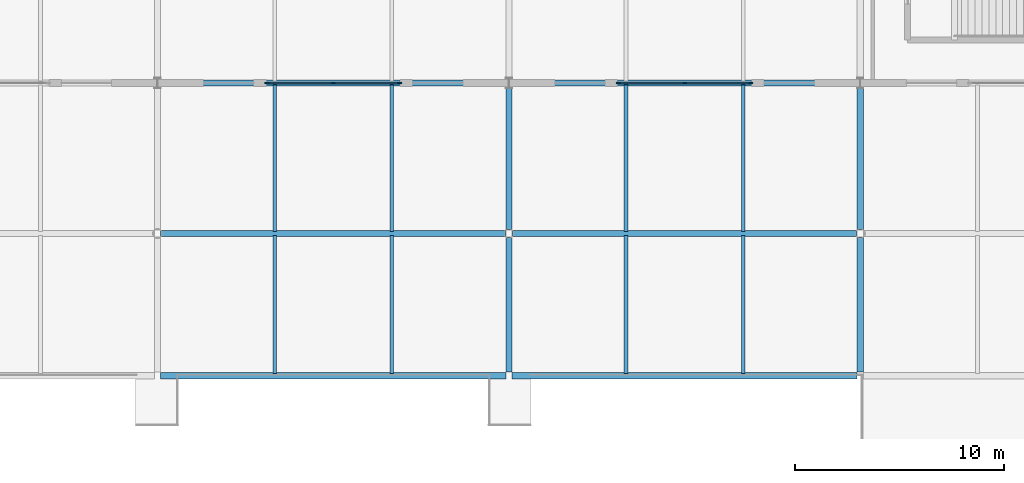
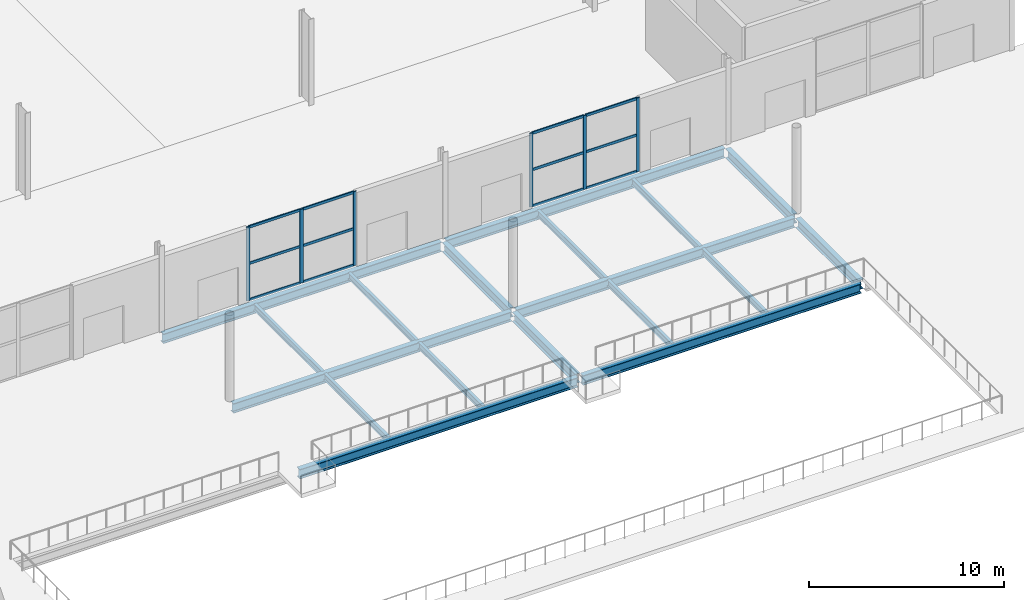
# One storey, part 26 of 87: 18 beams, 18 members, 2 elements without a shape of their own.
"""IFC4 building model written with IfcOpenShell, lengths in metres."""

from ifc_helpers import new_model, si_unit, direction, frame, origin, origin_2d, place, context, subcontext, project, spatial, rectangle, i_section, extrude, material, material_profile, profile_set, type_object, element, aggregate, save


model = new_model("IFC4")

# Units and contexts
model_context = context("Model", 3, precision=1e-05, world=origin(), true_north=direction((0.0, 1.0)))
body_context = subcontext(model_context, "Body", "Model", "MODEL_VIEW")
ifc_project = project(units=[si_unit("LENGTHUNIT", "METRE"), si_unit("AREAUNIT", "SQUARE_METRE"), si_unit("VOLUMEUNIT", "CUBIC_METRE"), si_unit("PLANEANGLEUNIT", "RADIAN"), si_unit("MASSUNIT", "GRAM", prefix="KILO")], contexts=[model_context])

# Site, building, storey
site_placement = place(None, origin())
site = spatial("IfcSite", under=ifc_project, at=site_placement, CompositionType="ELEMENT")
building_placement = place(site_placement, origin())
building = spatial("IfcBuilding", under=site, at=building_placement, Name="Kimbaza Rail Terminus", CompositionType="ELEMENT")
storey_placement = place(building_placement, origin())
storey = spatial("IfcBuildingStorey", under=building, at=storey_placement, Name="L00", CompositionType="ELEMENT", Elevation=0.0)

# Curtain wall, members
ifc_material_1 = material(Name="Anodised aluminium framing and solar low-E glazing", Category="aluminium")
curtain_wall_type = type_object("IfcCurtainWallType", Name="ARC-CW-CN1", PredefinedType="USERDEFINED", material=ifc_material_1)
curtain_wall_1_placement = place(storey_placement, origin())
curtain_wall_1 = element("IfcCurtainWall", 1, at=curtain_wall_1_placement, inside=storey, type_object=curtain_wall_type, Name="South Concourse Glazing L00 Bay 4", ObjectType="UNITISED CURTAIN WALL", PredefinedType="USERDEFINED")
ifc_material_2 = material(Name="Anodised architectural aluminium", Category="aluminium")
ifc_material_profile_1 = material_profile(ifc_material_2, rectangle(XDim=0.070068359375, YDim=0.199951171875, at=origin_2d()), Name="MULLION 70x200")
ifc_profile_set_1 = profile_set([ifc_material_profile_1], Name="Anodised architectural aluminium")
member_type_1 = type_object("IfcMemberType", Name="ARC-CWM-02", PredefinedType="MULLION", material=ifc_profile_set_1)
member_1_placement = place(storey_placement, frame((110.8349609375, 41.0, 0.0), z_axis=(0.0, 0.0, 1.0), x_axis=(0.0, 1.0, 0.0)))
member_1 = element("IfcMember", 2, at=member_1_placement, type_object=member_type_1, Name="CW-02 mullion 1", PredefinedType="MULLION", context=body_context, shape_type="SweptSolid", body=[
    extrude(rectangle(XDim=0.070068359375, YDim=0.199951171875, at=origin_2d()), origin(), (0.0, 0.0, 1.0), 4.625),
])
member_2_placement = place(storey_placement, frame((114.0, 41.0, 0.0), z_axis=(0.0, 0.0, 1.0), x_axis=(0.0, 1.0, 0.0)))
member_2 = element("IfcMember", 3, at=member_2_placement, type_object=member_type_1, Name="CW-02 mullion 2", PredefinedType="MULLION", context=body_context, shape_type="SweptSolid", body=[
    extrude(rectangle(XDim=0.070068359375, YDim=0.199951171875, at=origin_2d()), origin(), (0.0, 0.0, 1.0), 4.625),
])
member_3_placement = place(storey_placement, frame((117.1650390625, 41.0, 0.0), z_axis=(0.0, 0.0, 1.0), x_axis=(0.0, 1.0, 0.0)))
member_3 = element("IfcMember", 4, at=member_3_placement, type_object=member_type_1, Name="CW-02 mullion 3", PredefinedType="MULLION", context=body_context, shape_type="SweptSolid", body=[
    extrude(rectangle(XDim=0.070068359375, YDim=0.199951171875, at=origin_2d()), origin(), (0.0, 0.0, 1.0), 4.625),
])

curtain_wall_2_placement = place(storey_placement, origin())
curtain_wall_2 = element("IfcCurtainWall", 5, at=curtain_wall_2_placement, inside=storey, type_object=curtain_wall_type, Name="South Concourse Glazing L00 Bay 5", ObjectType="UNITISED CURTAIN WALL", PredefinedType="USERDEFINED")
member_4_placement = place(storey_placement, frame((127.635009765625, 41.0, 0.0), z_axis=(0.0, 0.0, 1.0), x_axis=(0.0, 1.0, 0.0)))
member_4 = element("IfcMember", 6, at=member_4_placement, type_object=member_type_1, Name="CW-02 mullion 1", PredefinedType="MULLION", context=body_context, shape_type="SweptSolid", body=[
    extrude(rectangle(XDim=0.070068359375, YDim=0.199951171875, at=origin_2d()), origin(), (0.0, 0.0, 1.0), 4.625),
])
member_5_placement = place(storey_placement, frame((130.800048828125, 41.0, 0.0), z_axis=(0.0, 0.0, 1.0), x_axis=(0.0, 1.0, 0.0)))
member_5 = element("IfcMember", 7, at=member_5_placement, type_object=member_type_1, Name="CW-02 mullion 2", PredefinedType="MULLION", context=body_context, shape_type="SweptSolid", body=[
    extrude(rectangle(XDim=0.070068359375, YDim=0.199951171875, at=origin_2d()), origin(), (0.0, 0.0, 1.0), 4.625),
])
member_6_placement = place(storey_placement, frame((133.965087890625, 41.0, 0.0), z_axis=(0.0, 0.0, 1.0), x_axis=(0.0, 1.0, 0.0)))
member_6 = element("IfcMember", 8, at=member_6_placement, type_object=member_type_1, Name="CW-02 mullion 3", PredefinedType="MULLION", context=body_context, shape_type="SweptSolid", body=[
    extrude(rectangle(XDim=0.070068359375, YDim=0.199951171875, at=origin_2d()), origin(), (0.0, 0.0, 1.0), 4.625),
])

# Member
ifc_material_3 = material(Name="Anodised architectural aluminium", Category="aluminium")
ifc_material_profile_2 = material_profile(ifc_material_3, rectangle(XDim=0.070068359375, YDim=0.159912109375, at=origin_2d()), Name="TRANSOM 70x160")
ifc_profile_set_2 = profile_set([ifc_material_profile_2], Name="Anodised architectural aluminium")
member_type_2 = type_object("IfcMemberType", Name="ARC-CWT-02", PredefinedType="USERDEFINED", material=ifc_profile_set_2)
member_7_placement = place(storey_placement, frame((110.8701171875, 41.0, 0.034912109375), z_axis=(1.0, 0.0, 0.0), x_axis=(0.0, 1.0, 0.0)))
member_7 = element("IfcMember", 9, at=member_7_placement, type_object=member_type_2, Name="CW-02 transom 1.1", ObjectType="TRANSOM", PredefinedType="USERDEFINED", context=body_context, shape_type="SweptSolid", body=[
    extrude(rectangle(XDim=0.070068359375, YDim=0.159912109375, at=origin_2d()), origin(), (0.0, 0.0, 1.0), 3.094970703125),
])

member_8_placement = place(storey_placement, frame((110.8701171875, 41.0, 2.3125), z_axis=(1.0, 0.0, 0.0), x_axis=(0.0, 1.0, 0.0)))
member_8 = element("IfcMember", 10, at=member_8_placement, type_object=member_type_2, Name="CW-02 transom 1.2", ObjectType="TRANSOM", PredefinedType="USERDEFINED", context=body_context, shape_type="SweptSolid", body=[
    extrude(rectangle(XDim=0.070068359375, YDim=0.159912109375, at=origin_2d()), origin(), (0.0, 0.0, 1.0), 3.094970703125),
])

member_9_placement = place(storey_placement, frame((110.8701171875, 41.0, 4.590087890625), z_axis=(1.0, 0.0, 0.0), x_axis=(0.0, 1.0, 0.0)))
member_9 = element("IfcMember", 11, at=member_9_placement, type_object=member_type_2, Name="CW-02 transom 1.3", ObjectType="TRANSOM", PredefinedType="USERDEFINED", context=body_context, shape_type="SweptSolid", body=[
    extrude(rectangle(XDim=0.070068359375, YDim=0.159912109375, at=origin_2d()), origin(), (0.0, 0.0, 1.0), 3.094970703125),
])

member_10_placement = place(storey_placement, frame((114.034912109375, 41.0, 0.034912109375), z_axis=(1.0, 0.0, 0.0), x_axis=(0.0, 1.0, 0.0)))
member_10 = element("IfcMember", 12, at=member_10_placement, type_object=member_type_2, Name="CW-02 transom 2.1", ObjectType="TRANSOM", PredefinedType="USERDEFINED", context=body_context, shape_type="SweptSolid", body=[
    extrude(rectangle(XDim=0.070068359375, YDim=0.159912109375, at=origin_2d()), origin(), (0.0, 0.0, 1.0), 3.094970703125),
])

member_11_placement = place(storey_placement, frame((114.034912109375, 41.0, 2.3125), z_axis=(1.0, 0.0, 0.0), x_axis=(0.0, 1.0, 0.0)))
member_11 = element("IfcMember", 13, at=member_11_placement, type_object=member_type_2, Name="CW-02 transom 2.2", ObjectType="TRANSOM", PredefinedType="USERDEFINED", context=body_context, shape_type="SweptSolid", body=[
    extrude(rectangle(XDim=0.070068359375, YDim=0.159912109375, at=origin_2d()), origin(), (0.0, 0.0, 1.0), 3.094970703125),
])

member_12_placement = place(storey_placement, frame((114.034912109375, 41.0, 4.590087890625), z_axis=(1.0, 0.0, 0.0), x_axis=(0.0, 1.0, 0.0)))
member_12 = element("IfcMember", 14, at=member_12_placement, type_object=member_type_2, Name="CW-02 transom 2.3", ObjectType="TRANSOM", PredefinedType="USERDEFINED", context=body_context, shape_type="SweptSolid", body=[
    extrude(rectangle(XDim=0.070068359375, YDim=0.159912109375, at=origin_2d()), origin(), (0.0, 0.0, 1.0), 3.094970703125),
])

aggregate(curtain_wall_1, [member_1, member_2, member_3, member_7, member_8, member_9, member_10, member_11, member_12])

member_13_placement = place(storey_placement, frame((127.669921875, 41.0, 0.034912109375), z_axis=(1.0, 0.0, 0.0), x_axis=(0.0, 1.0, 0.0)))
member_13 = element("IfcMember", 15, at=member_13_placement, type_object=member_type_2, Name="CW-02 transom 1.1", ObjectType="TRANSOM", PredefinedType="USERDEFINED", context=body_context, shape_type="SweptSolid", body=[
    extrude(rectangle(XDim=0.070068359375, YDim=0.159912109375, at=origin_2d()), origin(), (0.0, 0.0, 1.0), 3.094970703125),
])

member_14_placement = place(storey_placement, frame((127.669921875, 41.0, 2.3125), z_axis=(1.0, 0.0, 0.0), x_axis=(0.0, 1.0, 0.0)))
member_14 = element("IfcMember", 16, at=member_14_placement, type_object=member_type_2, Name="CW-02 transom 1.2", ObjectType="TRANSOM", PredefinedType="USERDEFINED", context=body_context, shape_type="SweptSolid", body=[
    extrude(rectangle(XDim=0.070068359375, YDim=0.159912109375, at=origin_2d()), origin(), (0.0, 0.0, 1.0), 3.094970703125),
])

member_15_placement = place(storey_placement, frame((127.669921875, 41.0, 4.590087890625), z_axis=(1.0, 0.0, 0.0), x_axis=(0.0, 1.0, 0.0)))
member_15 = element("IfcMember", 17, at=member_15_placement, type_object=member_type_2, Name="CW-02 transom 1.3", ObjectType="TRANSOM", PredefinedType="USERDEFINED", context=body_context, shape_type="SweptSolid", body=[
    extrude(rectangle(XDim=0.070068359375, YDim=0.159912109375, at=origin_2d()), origin(), (0.0, 0.0, 1.0), 3.094970703125),
])

member_16_placement = place(storey_placement, frame((130.8349609375, 41.0, 0.034912109375), z_axis=(1.0, 0.0, 0.0), x_axis=(0.0, 1.0, 0.0)))
member_16 = element("IfcMember", 18, at=member_16_placement, type_object=member_type_2, Name="CW-02 transom 2.1", ObjectType="TRANSOM", PredefinedType="USERDEFINED", context=body_context, shape_type="SweptSolid", body=[
    extrude(rectangle(XDim=0.070068359375, YDim=0.159912109375, at=origin_2d()), origin(), (0.0, 0.0, 1.0), 3.094970703125),
])

member_17_placement = place(storey_placement, frame((130.8349609375, 41.0, 2.3125), z_axis=(1.0, 0.0, 0.0), x_axis=(0.0, 1.0, 0.0)))
member_17 = element("IfcMember", 19, at=member_17_placement, type_object=member_type_2, Name="CW-02 transom 2.2", ObjectType="TRANSOM", PredefinedType="USERDEFINED", context=body_context, shape_type="SweptSolid", body=[
    extrude(rectangle(XDim=0.070068359375, YDim=0.159912109375, at=origin_2d()), origin(), (0.0, 0.0, 1.0), 3.094970703125),
])

member_18_placement = place(storey_placement, frame((130.8349609375, 41.0, 4.590087890625), z_axis=(1.0, 0.0, 0.0), x_axis=(0.0, 1.0, 0.0)))
member_18 = element("IfcMember", 20, at=member_18_placement, type_object=member_type_2, Name="CW-02 transom 2.3", ObjectType="TRANSOM", PredefinedType="USERDEFINED", context=body_context, shape_type="SweptSolid", body=[
    extrude(rectangle(XDim=0.070068359375, YDim=0.159912109375, at=origin_2d()), origin(), (0.0, 0.0, 1.0), 3.094970703125),
])

aggregate(curtain_wall_2, [member_4, member_5, member_6, member_13, member_14, member_15, member_16, member_17, member_18])

# Beams
ifc_material_4 = material(Name="Steel S355", Category="steel")
ifc_material_profile_3 = material_profile(ifc_material_4, i_section(OverallWidth=0.300048828125, OverallDepth=0.60009765625, WebThickness=0.015380859375, FlangeThickness=0.030029296875, FilletRadius=0.027099609375, at=origin_2d()), Name="HEB 600")
ifc_profile_set_3 = profile_set([ifc_material_profile_3], Name="Steel S355")
beam_type_1 = type_object("IfcBeamType", Name="STR-BM-HEB600", PredefinedType="BEAM", material=ifc_profile_set_3)
beam_1_placement = place(storey_placement, frame((122.39990234375, 27.175048828125, -0.550048828125), z_axis=(0.0, 1.0, 0.0), x_axis=(-1.0, 0.0, 0.0)))
element("IfcBeam", 21, at=beam_1_placement, inside=storey, type_object=beam_type_1, Name="Beam BM-V2Y-L00-4-27", PredefinedType="BEAM", context=body_context, shape_type="SweptSolid", body=[
    extrude(i_section(OverallWidth=0.300048828125, OverallDepth=0.60009765625, WebThickness=0.015380859375, FlangeThickness=0.030029296875, FilletRadius=0.027099609375, at=origin_2d()), origin(), (0.0, 0.0, 1.0), 6.449951171875),
])
beam_2_placement = place(storey_placement, frame((122.39990234375, 33.97509765625, -0.550048828125), z_axis=(0.0, 1.0, 0.0), x_axis=(-1.0, 0.0, 0.0)))
element("IfcBeam", 22, at=beam_2_placement, inside=storey, type_object=beam_type_1, Name="Beam BM-V2Y-L00-4-34", PredefinedType="BEAM", context=body_context, shape_type="SweptSolid", body=[
    extrude(i_section(OverallWidth=0.300048828125, OverallDepth=0.60009765625, WebThickness=0.015380859375, FlangeThickness=0.030029296875, FilletRadius=0.027099609375, at=origin_2d()), origin(), (0.0, 0.0, 1.0), 6.849853515625),
])
beam_3_placement = place(storey_placement, frame((139.199951171875, 27.175048828125, -0.550048828125), z_axis=(0.0, 1.0, 0.0), x_axis=(-1.0, 0.0, 0.0)))
element("IfcBeam", 23, at=beam_3_placement, inside=storey, type_object=beam_type_1, Name="Beam BM-V2Y-L00-5-27", PredefinedType="BEAM", context=body_context, shape_type="SweptSolid", body=[
    extrude(i_section(OverallWidth=0.300048828125, OverallDepth=0.60009765625, WebThickness=0.015380859375, FlangeThickness=0.030029296875, FilletRadius=0.027099609375, at=origin_2d()), origin(), (0.0, 0.0, 1.0), 6.449951171875),
])
beam_4_placement = place(storey_placement, frame((139.199951171875, 33.97509765625, -0.550048828125), z_axis=(0.0, 1.0, 0.0), x_axis=(-1.0, 0.0, 0.0)))
element("IfcBeam", 24, at=beam_4_placement, inside=storey, type_object=beam_type_1, Name="Beam BM-V2Y-L00-5-34", PredefinedType="BEAM", context=body_context, shape_type="SweptSolid", body=[
    extrude(i_section(OverallWidth=0.300048828125, OverallDepth=0.60009765625, WebThickness=0.015380859375, FlangeThickness=0.030029296875, FilletRadius=0.027099609375, at=origin_2d()), origin(), (0.0, 0.0, 1.0), 6.849853515625),
])
beam_5_placement = place(storey_placement, frame((105.74609375, 27.0, -0.550048828125), z_axis=(1.0, 0.0, 0.0), x_axis=(0.0, 1.0, 0.0)))
element("IfcBeam", 25, at=beam_5_placement, inside=storey, type_object=beam_type_1, Name="Beam BM-V2X-L00-0-3", PredefinedType="BEAM", context=body_context, shape_type="SweptSolid", body=[
    extrude(i_section(OverallWidth=0.300048828125, OverallDepth=0.60009765625, WebThickness=0.015380859375, FlangeThickness=0.030029296875, FilletRadius=0.027099609375, at=origin_2d()), origin(), (0.0, 0.0, 1.0), 16.5078125),
])
beam_6_placement = place(storey_placement, frame((122.5458984375, 27.0, -0.550048828125), z_axis=(1.0, 0.0, 0.0), x_axis=(0.0, 1.0, 0.0)))
element("IfcBeam", 26, at=beam_6_placement, inside=storey, type_object=beam_type_1, Name="Beam BM-V2X-L00-0-4", PredefinedType="BEAM", context=body_context, shape_type="SweptSolid", body=[
    extrude(i_section(OverallWidth=0.300048828125, OverallDepth=0.60009765625, WebThickness=0.015380859375, FlangeThickness=0.030029296875, FilletRadius=0.027099609375, at=origin_2d()), origin(), (0.0, 0.0, 1.0), 16.508056640625),
])
beam_7_placement = place(storey_placement, frame((105.74609375, 33.800048828125, -0.550048828125), z_axis=(1.0, 0.0, 0.0), x_axis=(0.0, 1.0, 0.0)))
element("IfcBeam", 27, at=beam_7_placement, inside=storey, type_object=beam_type_1, Name="Beam BM-V2X-L00-1-3", PredefinedType="BEAM", context=body_context, shape_type="SweptSolid", body=[
    extrude(i_section(OverallWidth=0.300048828125, OverallDepth=0.60009765625, WebThickness=0.015380859375, FlangeThickness=0.030029296875, FilletRadius=0.027099609375, at=origin_2d()), origin(), (0.0, 0.0, 1.0), 16.5078125),
])
beam_8_placement = place(storey_placement, frame((122.5458984375, 33.800048828125, -0.550048828125), z_axis=(1.0, 0.0, 0.0), x_axis=(0.0, 1.0, 0.0)))
element("IfcBeam", 28, at=beam_8_placement, inside=storey, type_object=beam_type_1, Name="Beam BM-V2X-L00-1-4", PredefinedType="BEAM", context=body_context, shape_type="SweptSolid", body=[
    extrude(i_section(OverallWidth=0.300048828125, OverallDepth=0.60009765625, WebThickness=0.015380859375, FlangeThickness=0.030029296875, FilletRadius=0.027099609375, at=origin_2d()), origin(), (0.0, 0.0, 1.0), 16.508056640625),
])
beam_9_placement = place(storey_placement, frame((105.74609375, 41.0, -0.550048828125), z_axis=(1.0, 0.0, 0.0), x_axis=(0.0, 1.0, 0.0)))
element("IfcBeam", 29, at=beam_9_placement, inside=storey, type_object=beam_type_1, Name="Beam BM-V2X-L00-2-3", PredefinedType="BEAM", context=body_context, shape_type="SweptSolid", body=[
    extrude(i_section(OverallWidth=0.300048828125, OverallDepth=0.60009765625, WebThickness=0.015380859375, FlangeThickness=0.030029296875, FilletRadius=0.027099609375, at=origin_2d()), origin(), (0.0, 0.0, 1.0), 16.5078125),
])
beam_10_placement = place(storey_placement, frame((122.5458984375, 41.0, -0.550048828125), z_axis=(1.0, 0.0, 0.0), x_axis=(0.0, 1.0, 0.0)))
element("IfcBeam", 30, at=beam_10_placement, inside=storey, type_object=beam_type_1, Name="Beam BM-V2X-L00-2-4", PredefinedType="BEAM", context=body_context, shape_type="SweptSolid", body=[
    extrude(i_section(OverallWidth=0.300048828125, OverallDepth=0.60009765625, WebThickness=0.015380859375, FlangeThickness=0.030029296875, FilletRadius=0.027099609375, at=origin_2d()), origin(), (0.0, 0.0, 1.0), 16.508056640625),
])
ifc_material_5 = material(Name="Steel S355", Category="steel")
ifc_material_profile_4 = material_profile(ifc_material_5, i_section(OverallWidth=0.179931640625, OverallDepth=0.39990234375, WebThickness=0.008544921875, FlangeThickness=0.013427734375, FilletRadius=0.02099609375, at=origin_2d()), Name="IPE 400")
ifc_profile_set_4 = profile_set([ifc_material_profile_4], Name="Steel S355")
beam_type_2 = type_object("IfcBeamType", Name="STR-BM-IPE400", PredefinedType="JOIST", material=ifc_profile_set_4)
beam_11_placement = place(storey_placement, frame((111.199951171875, 27.10009765625, -0.449951171875), z_axis=(0.0, 1.0, 0.0), x_axis=(-1.0, 0.0, 0.0)))
element("IfcBeam", 31, at=beam_11_placement, inside=storey, type_object=beam_type_2, Name="Beam JST-V2-L00-4-1-27", PredefinedType="JOIST", context=body_context, shape_type="SweptSolid", body=[
    extrude(i_section(OverallWidth=0.179931640625, OverallDepth=0.39990234375, WebThickness=0.008544921875, FlangeThickness=0.013427734375, FilletRadius=0.02099609375, at=origin_2d()), origin(), (0.0, 0.0, 1.0), 6.599853515625),
])
beam_12_placement = place(storey_placement, frame((111.199951171875, 33.89990234375, -0.449951171875), z_axis=(0.0, 1.0, 0.0), x_axis=(-1.0, 0.0, 0.0)))
element("IfcBeam", 32, at=beam_12_placement, inside=storey, type_object=beam_type_2, Name="Beam JST-V2-L00-4-1-34", PredefinedType="JOIST", context=body_context, shape_type="SweptSolid", body=[
    extrude(i_section(OverallWidth=0.179931640625, OverallDepth=0.39990234375, WebThickness=0.008544921875, FlangeThickness=0.013427734375, FilletRadius=0.02099609375, at=origin_2d()), origin(), (0.0, 0.0, 1.0), 7.0),
])
beam_13_placement = place(storey_placement, frame((116.800048828125, 27.10009765625, -0.449951171875), z_axis=(0.0, 1.0, 0.0), x_axis=(-1.0, 0.0, 0.0)))
element("IfcBeam", 33, at=beam_13_placement, inside=storey, type_object=beam_type_2, Name="Beam JST-V2-L00-4-2-27", PredefinedType="JOIST", context=body_context, shape_type="SweptSolid", body=[
    extrude(i_section(OverallWidth=0.179931640625, OverallDepth=0.39990234375, WebThickness=0.008544921875, FlangeThickness=0.013427734375, FilletRadius=0.02099609375, at=origin_2d()), origin(), (0.0, 0.0, 1.0), 6.599853515625),
])
beam_14_placement = place(storey_placement, frame((116.800048828125, 33.89990234375, -0.449951171875), z_axis=(0.0, 1.0, 0.0), x_axis=(-1.0, 0.0, 0.0)))
element("IfcBeam", 34, at=beam_14_placement, inside=storey, type_object=beam_type_2, Name="Beam JST-V2-L00-4-2-34", PredefinedType="JOIST", context=body_context, shape_type="SweptSolid", body=[
    extrude(i_section(OverallWidth=0.179931640625, OverallDepth=0.39990234375, WebThickness=0.008544921875, FlangeThickness=0.013427734375, FilletRadius=0.02099609375, at=origin_2d()), origin(), (0.0, 0.0, 1.0), 7.0),
])
beam_15_placement = place(storey_placement, frame((128.0, 27.10009765625, -0.449951171875), z_axis=(0.0, 1.0, 0.0), x_axis=(-1.0, 0.0, 0.0)))
element("IfcBeam", 35, at=beam_15_placement, inside=storey, type_object=beam_type_2, Name="Beam JST-V2-L00-5-1-27", PredefinedType="JOIST", context=body_context, shape_type="SweptSolid", body=[
    extrude(i_section(OverallWidth=0.179931640625, OverallDepth=0.39990234375, WebThickness=0.008544921875, FlangeThickness=0.013427734375, FilletRadius=0.02099609375, at=origin_2d()), origin(), (0.0, 0.0, 1.0), 6.599853515625),
])
beam_16_placement = place(storey_placement, frame((128.0, 33.89990234375, -0.449951171875), z_axis=(0.0, 1.0, 0.0), x_axis=(-1.0, 0.0, 0.0)))
element("IfcBeam", 36, at=beam_16_placement, inside=storey, type_object=beam_type_2, Name="Beam JST-V2-L00-5-1-34", PredefinedType="JOIST", context=body_context, shape_type="SweptSolid", body=[
    extrude(i_section(OverallWidth=0.179931640625, OverallDepth=0.39990234375, WebThickness=0.008544921875, FlangeThickness=0.013427734375, FilletRadius=0.02099609375, at=origin_2d()), origin(), (0.0, 0.0, 1.0), 7.0),
])
beam_17_placement = place(storey_placement, frame((133.60009765625, 27.10009765625, -0.449951171875), z_axis=(0.0, 1.0, 0.0), x_axis=(-1.0, 0.0, 0.0)))
element("IfcBeam", 37, at=beam_17_placement, inside=storey, type_object=beam_type_2, Name="Beam JST-V2-L00-5-2-27", PredefinedType="JOIST", context=body_context, shape_type="SweptSolid", body=[
    extrude(i_section(OverallWidth=0.179931640625, OverallDepth=0.39990234375, WebThickness=0.008544921875, FlangeThickness=0.013427734375, FilletRadius=0.02099609375, at=origin_2d()), origin(), (0.0, 0.0, 1.0), 6.599853515625),
])
beam_18_placement = place(storey_placement, frame((133.60009765625, 33.89990234375, -0.449951171875), z_axis=(0.0, 1.0, 0.0), x_axis=(-1.0, 0.0, 0.0)))
element("IfcBeam", 38, at=beam_18_placement, inside=storey, type_object=beam_type_2, Name="Beam JST-V2-L00-5-2-34", PredefinedType="JOIST", context=body_context, shape_type="SweptSolid", body=[
    extrude(i_section(OverallWidth=0.179931640625, OverallDepth=0.39990234375, WebThickness=0.008544921875, FlangeThickness=0.013427734375, FilletRadius=0.02099609375, at=origin_2d()), origin(), (0.0, 0.0, 1.0), 7.0),
])

save(model, "model.ifc")
